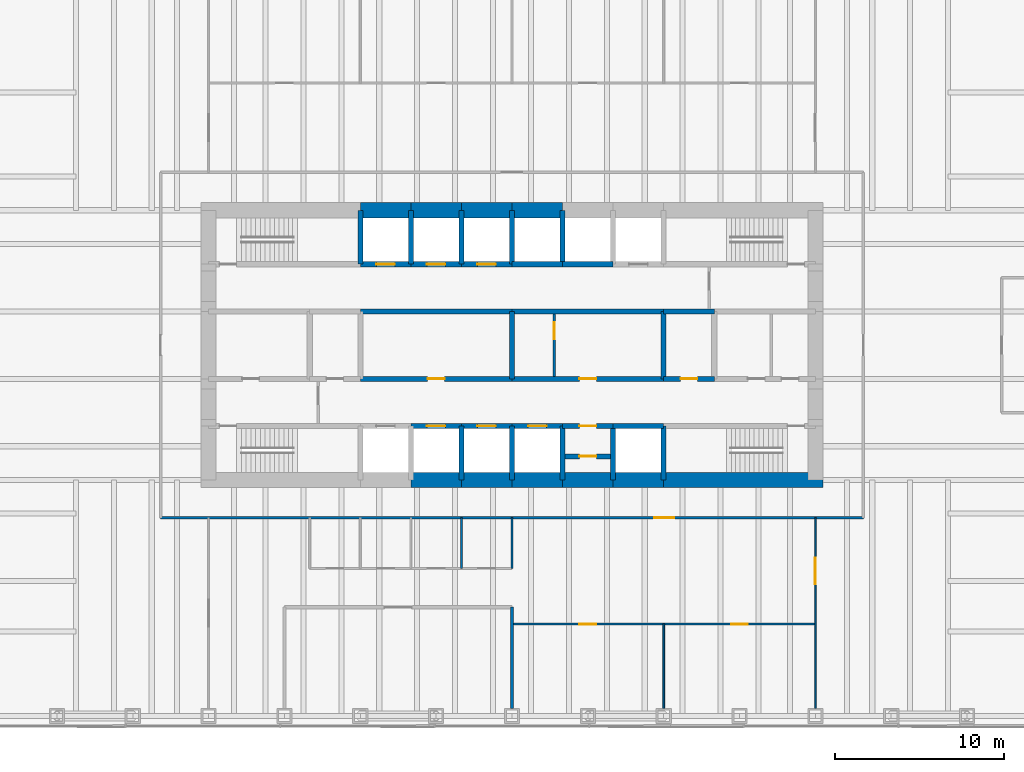
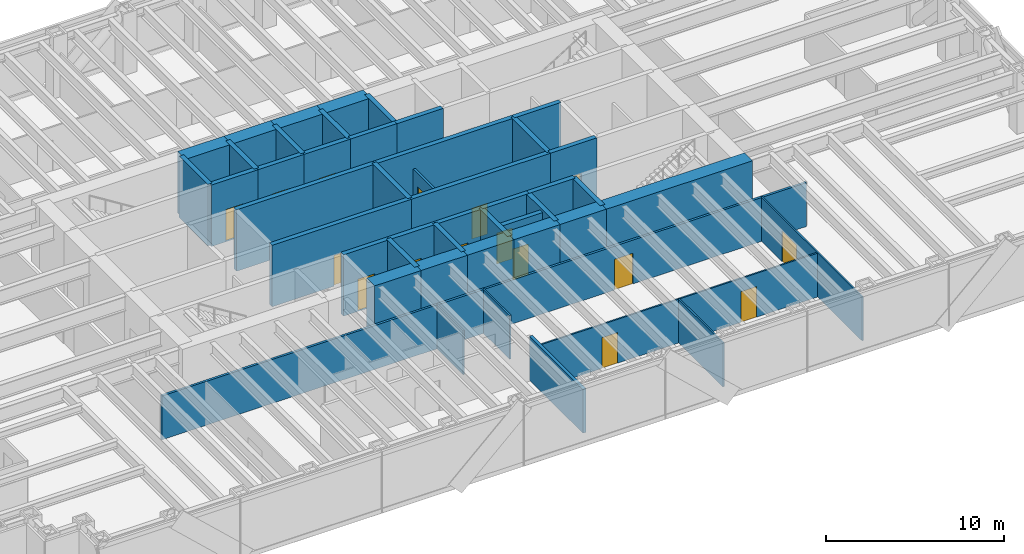
# One storey, part 12 of 15: 47 walls, 16 doors, 16 openings.
"""IFC4 building model written with IfcOpenShell, lengths in metres."""

from ifc_helpers import new_model, si_unit, direction, frame, frame_2d, origin, place, context, subcontext, project, spatial, rectangle, extrude, material, layer, layer_set, type_object, element, fill, save


model = new_model("IFC4")

# Units and contexts
model_context = context("Model", 3, precision=1e-05, world=origin(), true_north=direction((0.0, 1.0)))
body_context = subcontext(model_context, "Body", "Model", "MODEL_VIEW")
ifc_project = project(units=[si_unit("LENGTHUNIT", "METRE"), si_unit("AREAUNIT", "SQUARE_METRE"), si_unit("VOLUMEUNIT", "CUBIC_METRE"), si_unit("PLANEANGLEUNIT", "RADIAN"), si_unit("MASSUNIT", "GRAM", prefix="KILO")], contexts=[model_context])

# Site, building, storey
site_placement = place(None, origin())
site = spatial("IfcSite", under=ifc_project, at=site_placement, CompositionType="ELEMENT")
building_placement = place(site_placement, origin())
building = spatial("IfcBuilding", under=site, at=building_placement, Name="Rheinbord Bourse Tower", CompositionType="ELEMENT")
storey_placement = place(building_placement, frame((0.0, 0.0, 117.300048828125)))
storey = spatial("IfcBuildingStorey", under=building, at=storey_placement, Name="L25", CompositionType="ELEMENT", Elevation=117.300048828125)

# Wall
ifc_material_1 = material(Name="Acoustic gypsum board partition", Category="gypsum board")
ifc_layer_1 = layer(ifc_material_1, 0.199951171875)
ifc_layer_set_1 = layer_set([ifc_layer_1], Name="ACOUSTIC PARTITION 200")
wall_type_1 = type_object("IfcWallType", Name="ACOUSTIC PARTITION 200", PredefinedType="PARTITIONING", material=ifc_layer_set_1)
wall_1_placement = place(storey_placement, frame((36.0, 2.449951171875, 0.0), z_axis=(0.0, 0.0, 1.0), x_axis=(0.0, 1.0, 0.0)))
element("IfcWall", 1, at=wall_1_placement, inside=storey, type_object=wall_type_1, Name="Partition L25-23", PredefinedType="PARTITIONING", context=body_context, shape_type="SweptSolid", body=[
    extrude(rectangle(XDim=6.0, YDim=0.199951171875, at=frame_2d((3.0, 0.0))), origin(), (0.0, 0.0, 1.0), 3.0),
])

# Wall, opening, door
ifc_material_2 = material(Name="Concrete C50/60", Category="concrete")
ifc_layer_2 = layer(ifc_material_2, 0.300048828125)
ifc_layer_set_2 = layer_set([ifc_layer_2], Name="CORE INNER WALL 300")
wall_type_2 = type_object("IfcWallType", Name="CORE INNER WALL 300", PredefinedType="SOLIDWALL", material=ifc_layer_set_2)
wall_2_placement = place(storey_placement, frame((30.0, 19.199951171875, 0.0), z_axis=(0.0, 0.0, 1.0), x_axis=(1.0, 0.0, 0.0)))
wall_2 = element("IfcWall", 2, at=wall_2_placement, inside=storey, type_object=wall_type_2, Name="Core wall A3 L25", PredefinedType="SOLIDWALL", context=body_context, shape_type="SweptSolid", body=[
    extrude(rectangle(XDim=3.0, YDim=0.300048828125, at=frame_2d((1.5, 0.0))), origin(), (0.0, 0.0, 1.0), 4.199951171875),
])
opening_1_placement = place(wall_2_placement, frame((0.949951171875, 0.0, 0.0)))
opening_1 = element("IfcOpeningElement", 3, at=opening_1_placement, cuts=wall_2, Name="Opening PB1", PredefinedType="OPENING", context=body_context, shape_type="SweptSolid", body=[
    extrude(rectangle(XDim=1.10009765625, YDim=2.199951171875, at=frame_2d((0.550048828125, 1.10009765625))), frame((0.0, 0.159912109375, 0.0), z_axis=(0.0, -1.0, 0.0), x_axis=(1.0, 0.0, 0.0)), (0.0, 0.0, 1.0), 0.320068359375),
])
ifc_material_3 = material(Name="Steel landing door", Category="steel")
door_type_1 = type_object("IfcDoorType", Name="LIFT LANDING DOOR 1100", OperationType="DOUBLE_DOOR_SLIDING", PredefinedType="USERDEFINED", material=ifc_material_3)
door_1_placement = place(opening_1_placement, origin())
door_1 = element("IfcDoor", 4, at=door_1_placement, inside=storey, type_object=door_type_1, Name="Lift landing door PB1 L25", ObjectType="LIFT LANDING DOOR", OperationType="DOUBLE_DOOR_SLIDING", OverallHeight=2.199951171875, OverallWidth=1.10009765625, PredefinedType="USERDEFINED", context=body_context, shape_type="SweptSolid", body=[
    extrude(rectangle(XDim=1.10009765625, YDim=2.199951171875, at=frame_2d((0.550048828125, 1.10009765625))), frame((0.0, 0.02490234375, 0.0), z_axis=(0.0, -1.0, 0.0), x_axis=(1.0, 0.0, 0.0)), (0.0, 0.0, 1.0), 0.050048828125),
])
fill(opening_1, door_1)

wall_3_placement = place(storey_placement, frame((33.0, 19.199951171875, 0.0), z_axis=(0.0, 0.0, 1.0), x_axis=(1.0, 0.0, 0.0)))
wall_3 = element("IfcWall", 5, at=wall_3_placement, inside=storey, type_object=wall_type_2, Name="Core wall A4 L25", PredefinedType="SOLIDWALL", context=body_context, shape_type="SweptSolid", body=[
    extrude(rectangle(XDim=3.0, YDim=0.300048828125, at=frame_2d((1.5, 0.0))), origin(), (0.0, 0.0, 1.0), 4.199951171875),
])
opening_2_placement = place(wall_3_placement, frame((0.949951171875, 0.0, 0.0)))
opening_2 = element("IfcOpeningElement", 6, at=opening_2_placement, cuts=wall_3, Name="Opening PB2", PredefinedType="OPENING", context=body_context, shape_type="SweptSolid", body=[
    extrude(rectangle(XDim=1.10009765625, YDim=2.199951171875, at=frame_2d((0.550048828125, 1.10009765625))), frame((0.0, 0.159912109375, 0.0), z_axis=(0.0, -1.0, 0.0), x_axis=(1.0, 0.0, 0.0)), (0.0, 0.0, 1.0), 0.320068359375),
])
door_2_placement = place(opening_2_placement, origin())
door_2 = element("IfcDoor", 7, at=door_2_placement, inside=storey, type_object=door_type_1, Name="Lift landing door PB2 L25", ObjectType="LIFT LANDING DOOR", OperationType="DOUBLE_DOOR_SLIDING", OverallHeight=2.199951171875, OverallWidth=1.10009765625, PredefinedType="USERDEFINED", context=body_context, shape_type="SweptSolid", body=[
    extrude(rectangle(XDim=1.10009765625, YDim=2.199951171875, at=frame_2d((0.550048828125, 1.10009765625))), frame((0.0, 0.02490234375, 0.0), z_axis=(0.0, -1.0, 0.0), x_axis=(1.0, 0.0, 0.0)), (0.0, 0.0, 1.0), 0.050048828125),
])
fill(opening_2, door_2)

wall_4_placement = place(storey_placement, frame((36.0, 19.199951171875, 0.0), z_axis=(0.0, 0.0, 1.0), x_axis=(1.0, 0.0, 0.0)))
wall_4 = element("IfcWall", 8, at=wall_4_placement, inside=storey, type_object=wall_type_2, Name="Core wall A5 L25", PredefinedType="SOLIDWALL", context=body_context, shape_type="SweptSolid", body=[
    extrude(rectangle(XDim=3.0, YDim=0.300048828125, at=frame_2d((1.5, 0.0))), origin(), (0.0, 0.0, 1.0), 4.199951171875),
])
opening_3_placement = place(wall_4_placement, frame((0.949951171875, 0.0, 0.0)))
opening_3 = element("IfcOpeningElement", 9, at=opening_3_placement, cuts=wall_4, Name="Opening PB3", PredefinedType="OPENING", context=body_context, shape_type="SweptSolid", body=[
    extrude(rectangle(XDim=1.10009765625, YDim=2.199951171875, at=frame_2d((0.550048828125, 1.10009765625))), frame((0.0, 0.159912109375, 0.0), z_axis=(0.0, -1.0, 0.0), x_axis=(1.0, 0.0, 0.0)), (0.0, 0.0, 1.0), 0.320068359375),
])
door_3_placement = place(opening_3_placement, origin())
door_3 = element("IfcDoor", 10, at=door_3_placement, inside=storey, type_object=door_type_1, Name="Lift landing door PB3 L25", ObjectType="LIFT LANDING DOOR", OperationType="DOUBLE_DOOR_SLIDING", OverallHeight=2.199951171875, OverallWidth=1.10009765625, PredefinedType="USERDEFINED", context=body_context, shape_type="SweptSolid", body=[
    extrude(rectangle(XDim=1.10009765625, YDim=2.199951171875, at=frame_2d((0.550048828125, 1.10009765625))), frame((0.0, 0.02490234375, 0.0), z_axis=(0.0, -1.0, 0.0), x_axis=(1.0, 0.0, 0.0)), (0.0, 0.0, 1.0), 0.050048828125),
])
fill(opening_3, door_3)

wall_5_placement = place(storey_placement, frame((39.0, 19.199951171875, 0.0), z_axis=(0.0, 0.0, 1.0), x_axis=(1.0, 0.0, 0.0)))
wall_5 = element("IfcWall", 11, at=wall_5_placement, inside=storey, type_object=wall_type_2, Name="Core wall A6 L25", PredefinedType="SOLIDWALL", context=body_context, shape_type="SweptSolid", body=[
    extrude(rectangle(XDim=3.0, YDim=0.300048828125, at=frame_2d((1.5, 0.0))), origin(), (0.0, 0.0, 1.0), 4.199951171875),
])
opening_4_placement = place(wall_5_placement, frame((1.0, 0.0, 0.0)))
opening_4 = element("IfcOpeningElement", 12, at=opening_4_placement, cuts=wall_5, Name="Opening 25R8", PredefinedType="OPENING", context=body_context, shape_type="SweptSolid", body=[
    extrude(rectangle(XDim=1.0, YDim=2.10009765625, at=frame_2d((0.5, 1.050048828125))), frame((0.0, 0.159912109375, 0.0), z_axis=(0.0, -1.0, 0.0), x_axis=(1.0, 0.0, 0.0)), (0.0, 0.0, 1.0), 0.320068359375),
])
ifc_material_4 = material(Name="Steel door", Category="steel")
door_type_2 = type_object("IfcDoorType", Name="DOOR 1000 EI30", OperationType="SINGLE_SWING_LEFT", PredefinedType="DOOR", material=ifc_material_4)
door_4_placement = place(opening_4_placement, origin())
door_4 = element("IfcDoor", 13, at=door_4_placement, inside=storey, type_object=door_type_2, Name="Cleaner's store door L25", OperationType="SINGLE_SWING_LEFT", OverallHeight=2.10009765625, OverallWidth=1.0, PredefinedType="DOOR", context=body_context, shape_type="SweptSolid", body=[
    extrude(rectangle(XDim=1.0, YDim=2.10009765625, at=frame_2d((0.5, 1.050048828125))), frame((0.0, 0.02490234375, 0.0), z_axis=(0.0, -1.0, 0.0), x_axis=(1.0, 0.0, 0.0)), (0.0, 0.0, 1.0), 0.050048828125),
])
fill(opening_4, door_4)

# Wall
wall_6_placement = place(storey_placement, frame((42.0, 19.199951171875, 0.0), z_axis=(0.0, 0.0, 1.0), x_axis=(1.0, 0.0, 0.0)))
element("IfcWall", 14, at=wall_6_placement, inside=storey, type_object=wall_type_2, Name="Core wall A7 L25", PredefinedType="SOLIDWALL", context=body_context, shape_type="SweptSolid", body=[
    extrude(rectangle(XDim=3.0, YDim=0.300048828125, at=frame_2d((1.5, 0.0))), origin(), (0.0, 0.0, 1.0), 4.199951171875),
])

# Wall, opening, door
wall_7_placement = place(storey_placement, frame((27.0, 28.800048828125, 0.0), z_axis=(0.0, 0.0, 1.0), x_axis=(1.0, 0.0, 0.0)))
wall_7 = element("IfcWall", 15, at=wall_7_placement, inside=storey, type_object=wall_type_2, Name="Core wall B2 L25", PredefinedType="SOLIDWALL", context=body_context, shape_type="SweptSolid", body=[
    extrude(rectangle(XDim=3.0, YDim=0.300048828125, at=frame_2d((1.5, 0.0))), origin(), (0.0, 0.0, 1.0), 4.199951171875),
])
opening_5_placement = place(wall_7_placement, frame((0.949951171875, 0.0, 0.0)))
opening_5 = element("IfcOpeningElement", 16, at=opening_5_placement, cuts=wall_7, Name="Opening GL1", PredefinedType="OPENING", context=body_context, shape_type="SweptSolid", body=[
    extrude(rectangle(XDim=1.10009765625, YDim=2.199951171875, at=frame_2d((0.550048828125, 1.10009765625))), frame((0.0, 0.159912109375, 0.0), z_axis=(0.0, -1.0, 0.0), x_axis=(1.0, 0.0, 0.0)), (0.0, 0.0, 1.0), 0.320068359375),
])
door_5_placement = place(opening_5_placement, origin())
door_5 = element("IfcDoor", 17, at=door_5_placement, inside=storey, type_object=door_type_1, Name="Lift landing door GL1 L25", ObjectType="LIFT LANDING DOOR", OperationType="DOUBLE_DOOR_SLIDING", OverallHeight=2.199951171875, OverallWidth=1.10009765625, PredefinedType="USERDEFINED", context=body_context, shape_type="SweptSolid", body=[
    extrude(rectangle(XDim=1.10009765625, YDim=2.199951171875, at=frame_2d((0.550048828125, 1.10009765625))), frame((0.0, 0.02490234375, 0.0), z_axis=(0.0, -1.0, 0.0), x_axis=(1.0, 0.0, 0.0)), (0.0, 0.0, 1.0), 0.050048828125),
])
fill(opening_5, door_5)

wall_8_placement = place(storey_placement, frame((30.0, 28.800048828125, 0.0), z_axis=(0.0, 0.0, 1.0), x_axis=(1.0, 0.0, 0.0)))
wall_8 = element("IfcWall", 18, at=wall_8_placement, inside=storey, type_object=wall_type_2, Name="Core wall B3 L25", PredefinedType="SOLIDWALL", context=body_context, shape_type="SweptSolid", body=[
    extrude(rectangle(XDim=3.0, YDim=0.300048828125, at=frame_2d((1.5, 0.0))), origin(), (0.0, 0.0, 1.0), 4.199951171875),
])
opening_6_placement = place(wall_8_placement, frame((0.949951171875, 0.0, 0.0)))
opening_6 = element("IfcOpeningElement", 19, at=opening_6_placement, cuts=wall_8, Name="Opening PB4", PredefinedType="OPENING", context=body_context, shape_type="SweptSolid", body=[
    extrude(rectangle(XDim=1.10009765625, YDim=2.199951171875, at=frame_2d((0.550048828125, 1.10009765625))), frame((0.0, 0.159912109375, 0.0), z_axis=(0.0, -1.0, 0.0), x_axis=(1.0, 0.0, 0.0)), (0.0, 0.0, 1.0), 0.320068359375),
])
door_6_placement = place(opening_6_placement, origin())
door_6 = element("IfcDoor", 20, at=door_6_placement, inside=storey, type_object=door_type_1, Name="Lift landing door PB4 L25", ObjectType="LIFT LANDING DOOR", OperationType="DOUBLE_DOOR_SLIDING", OverallHeight=2.199951171875, OverallWidth=1.10009765625, PredefinedType="USERDEFINED", context=body_context, shape_type="SweptSolid", body=[
    extrude(rectangle(XDim=1.10009765625, YDim=2.199951171875, at=frame_2d((0.550048828125, 1.10009765625))), frame((0.0, 0.02490234375, 0.0), z_axis=(0.0, -1.0, 0.0), x_axis=(1.0, 0.0, 0.0)), (0.0, 0.0, 1.0), 0.050048828125),
])
fill(opening_6, door_6)

wall_9_placement = place(storey_placement, frame((33.0, 28.800048828125, 0.0), z_axis=(0.0, 0.0, 1.0), x_axis=(1.0, 0.0, 0.0)))
wall_9 = element("IfcWall", 21, at=wall_9_placement, inside=storey, type_object=wall_type_2, Name="Core wall B4 L25", PredefinedType="SOLIDWALL", context=body_context, shape_type="SweptSolid", body=[
    extrude(rectangle(XDim=3.0, YDim=0.300048828125, at=frame_2d((1.5, 0.0))), origin(), (0.0, 0.0, 1.0), 4.199951171875),
])
opening_7_placement = place(wall_9_placement, frame((0.949951171875, 0.0, 0.0)))
opening_7 = element("IfcOpeningElement", 22, at=opening_7_placement, cuts=wall_9, Name="Opening PB5", PredefinedType="OPENING", context=body_context, shape_type="SweptSolid", body=[
    extrude(rectangle(XDim=1.10009765625, YDim=2.199951171875, at=frame_2d((0.550048828125, 1.10009765625))), frame((0.0, 0.159912109375, 0.0), z_axis=(0.0, -1.0, 0.0), x_axis=(1.0, 0.0, 0.0)), (0.0, 0.0, 1.0), 0.320068359375),
])
door_7_placement = place(opening_7_placement, origin())
door_7 = element("IfcDoor", 23, at=door_7_placement, inside=storey, type_object=door_type_1, Name="Lift landing door PB5 L25", ObjectType="LIFT LANDING DOOR", OperationType="DOUBLE_DOOR_SLIDING", OverallHeight=2.199951171875, OverallWidth=1.10009765625, PredefinedType="USERDEFINED", context=body_context, shape_type="SweptSolid", body=[
    extrude(rectangle(XDim=1.10009765625, YDim=2.199951171875, at=frame_2d((0.550048828125, 1.10009765625))), frame((0.0, 0.02490234375, 0.0), z_axis=(0.0, -1.0, 0.0), x_axis=(1.0, 0.0, 0.0)), (0.0, 0.0, 1.0), 0.050048828125),
])
fill(opening_7, door_7)

# Walls
for number, where, z_axis, x_axis, name in (
    (24, (36.0, 28.800048828125, 0.0), (0.0, 0.0, 1.0), (1.0, 0.0, 0.0), "Core wall B5 L25"),
    (25, (39.0, 28.800048828125, 0.0), (0.0, 0.0, 1.0), (1.0, 0.0, 0.0), "Core wall B6 L25"),
):
    element("IfcWall", number, at=place(storey_placement, frame(where, z_axis=z_axis, x_axis=x_axis)), inside=storey, type_object=wall_type_2, Name=name, PredefinedType="SOLIDWALL", context=body_context, shape_type="SweptSolid", body=[
        extrude(rectangle(XDim=3.0, YDim=0.300048828125, at=frame_2d((1.5, 0.0))), origin(), (0.0, 0.0, 1.0), 4.199951171875),
    ])

# Wall, opening, door
wall_10_placement = place(storey_placement, frame((27.0, 22.0, 0.0), z_axis=(0.0, 0.0, 1.0), x_axis=(1.0, 0.0, 0.0)))
wall_10 = element("IfcWall", 26, at=wall_10_placement, inside=storey, type_object=wall_type_2, Name="Core wall C3 L25", PredefinedType="SOLIDWALL", context=body_context, shape_type="SweptSolid", body=[
    extrude(rectangle(XDim=9.0, YDim=0.300048828125, at=frame_2d((4.5, 0.0))), origin(), (0.0, 0.0, 1.0), 4.199951171875),
])
opening_8_placement = place(wall_10_placement, frame((4.0, 0.0, 0.0)))
opening_8 = element("IfcOpeningElement", 27, at=opening_8_placement, cuts=wall_10, Name="Opening 25R3", PredefinedType="OPENING", context=body_context, shape_type="SweptSolid", body=[
    extrude(rectangle(XDim=1.0, YDim=2.10009765625, at=frame_2d((0.5, 1.050048828125))), frame((0.0, 0.159912109375, 0.0), z_axis=(0.0, -1.0, 0.0), x_axis=(1.0, 0.0, 0.0)), (0.0, 0.0, 1.0), 0.320068359375),
])
door_8_placement = place(opening_8_placement, origin())
door_8 = element("IfcDoor", 28, at=door_8_placement, inside=storey, type_object=door_type_2, Name="Riser door L25", OperationType="SINGLE_SWING_LEFT", OverallHeight=2.10009765625, OverallWidth=1.0, PredefinedType="DOOR", context=body_context, shape_type="SweptSolid", body=[
    extrude(rectangle(XDim=1.0, YDim=2.10009765625, at=frame_2d((0.5, 1.050048828125))), frame((0.0, 0.02490234375, 0.0), z_axis=(0.0, -1.0, 0.0), x_axis=(1.0, 0.0, 0.0)), (0.0, 0.0, 1.0), 0.050048828125),
])
fill(opening_8, door_8)

wall_11_placement = place(storey_placement, frame((36.0, 22.0, 0.0), z_axis=(0.0, 0.0, 1.0), x_axis=(1.0, 0.0, 0.0)))
wall_11 = element("IfcWall", 29, at=wall_11_placement, inside=storey, type_object=wall_type_2, Name="Core wall C4 L25", PredefinedType="SOLIDWALL", context=body_context, shape_type="SweptSolid", body=[
    extrude(rectangle(XDim=9.0, YDim=0.300048828125, at=frame_2d((4.5, 0.0))), origin(), (0.0, 0.0, 1.0), 4.199951171875),
])
opening_9_placement = place(wall_11_placement, frame((4.0, 0.0, 0.0)))
opening_9 = element("IfcOpeningElement", 30, at=opening_9_placement, cuts=wall_11, Name="Opening 25R4", PredefinedType="OPENING", context=body_context, shape_type="SweptSolid", body=[
    extrude(rectangle(XDim=1.0, YDim=2.10009765625, at=frame_2d((0.5, 1.050048828125))), frame((0.0, 0.159912109375, 0.0), z_axis=(0.0, -1.0, 0.0), x_axis=(1.0, 0.0, 0.0)), (0.0, 0.0, 1.0), 0.320068359375),
])
door_9_placement = place(opening_9_placement, origin())
door_9 = element("IfcDoor", 31, at=door_9_placement, inside=storey, type_object=door_type_2, Name="Store door L25", OperationType="SINGLE_SWING_LEFT", OverallHeight=2.10009765625, OverallWidth=1.0, PredefinedType="DOOR", context=body_context, shape_type="SweptSolid", body=[
    extrude(rectangle(XDim=1.0, YDim=2.10009765625, at=frame_2d((0.5, 1.050048828125))), frame((0.0, 0.02490234375, 0.0), z_axis=(0.0, -1.0, 0.0), x_axis=(1.0, 0.0, 0.0)), (0.0, 0.0, 1.0), 0.050048828125),
])
fill(opening_9, door_9)

wall_12_placement = place(storey_placement, frame((45.0, 22.0, 0.0), z_axis=(0.0, 0.0, 1.0), x_axis=(1.0, 0.0, 0.0)))
wall_12 = element("IfcWall", 32, at=wall_12_placement, inside=storey, type_object=wall_type_2, Name="Core wall C5 L25", PredefinedType="SOLIDWALL", context=body_context, shape_type="SweptSolid", body=[
    extrude(rectangle(XDim=3.0, YDim=0.300048828125, at=frame_2d((1.5, 0.0))), origin(), (0.0, 0.0, 1.0), 4.199951171875),
])
opening_10_placement = place(wall_12_placement, frame((1.0, 0.0, 0.0)))
opening_10 = element("IfcOpeningElement", 33, at=opening_10_placement, cuts=wall_12, Name="Opening 25R5", PredefinedType="OPENING", context=body_context, shape_type="SweptSolid", body=[
    extrude(rectangle(XDim=1.0, YDim=2.10009765625, at=frame_2d((0.5, 1.050048828125))), frame((0.0, 0.159912109375, 0.0), z_axis=(0.0, -1.0, 0.0), x_axis=(1.0, 0.0, 0.0)), (0.0, 0.0, 1.0), 0.320068359375),
])
ifc_material_5 = material(Name="Timber door", Category="wood")
door_type_3 = type_object("IfcDoorType", Name="DOOR 1000 WC", OperationType="SINGLE_SWING_LEFT", PredefinedType="DOOR", material=ifc_material_5)
door_10_placement = place(opening_10_placement, origin())
door_10 = element("IfcDoor", 34, at=door_10_placement, inside=storey, type_object=door_type_3, Name="Accessible WC door L25", OperationType="SINGLE_SWING_LEFT", OverallHeight=2.10009765625, OverallWidth=1.0, PredefinedType="DOOR", context=body_context, shape_type="SweptSolid", body=[
    extrude(rectangle(XDim=1.0, YDim=2.10009765625, at=frame_2d((0.5, 1.050048828125))), frame((0.0, 0.02490234375, 0.0), z_axis=(0.0, -1.0, 0.0), x_axis=(1.0, 0.0, 0.0)), (0.0, 0.0, 1.0), 0.050048828125),
])
fill(opening_10, door_10)

# Walls
for number, where, z_axis, x_axis, name in (
    (35, (27.0, 26.0, 0.0), (0.0, 0.0, 1.0), (1.0, 0.0, 0.0), "Core wall D3 L25"),
    (36, (36.0, 26.0, 0.0), (0.0, 0.0, 1.0), (1.0, 0.0, 0.0), "Core wall D4 L25"),
):
    element("IfcWall", number, at=place(storey_placement, frame(where, z_axis=z_axis, x_axis=x_axis)), inside=storey, type_object=wall_type_2, Name=name, PredefinedType="SOLIDWALL", context=body_context, shape_type="SweptSolid", body=[
        extrude(rectangle(XDim=9.0, YDim=0.300048828125, at=frame_2d((4.5, 0.0))), origin(), (0.0, 0.0, 1.0), 4.199951171875),
    ])
wall_13_placement = place(storey_placement, frame((45.0, 26.0, 0.0), z_axis=(0.0, 0.0, 1.0), x_axis=(1.0, 0.0, 0.0)))
element("IfcWall", 37, at=wall_13_placement, inside=storey, type_object=wall_type_2, Name="Core wall D5 L25", PredefinedType="SOLIDWALL", context=body_context, shape_type="SweptSolid", body=[
    extrude(rectangle(XDim=3.0, YDim=0.300048828125, at=frame_2d((1.5, 0.0))), origin(), (0.0, 0.0, 1.0), 4.199951171875),
])
for number, where, z_axis, x_axis, name in (
    (38, (27.0, 28.800048828125, 0.0), (0.0, 0.0, 1.0), (0.0, 1.0, 0.0), "Core wall NX27 L25"),
    (39, (30.0, 28.800048828125, 0.0), (0.0, 0.0, 1.0), (0.0, 1.0, 0.0), "Core wall NX30 L25"),
    (40, (33.0, 16.0, 0.0), (0.0, 0.0, 1.0), (0.0, 1.0, 0.0), "Core wall SX33 L25"),
    (41, (33.0, 28.800048828125, 0.0), (0.0, 0.0, 1.0), (0.0, 1.0, 0.0), "Core wall NX33 L25"),
    (42, (36.0, 16.0, 0.0), (0.0, 0.0, 1.0), (0.0, 1.0, 0.0), "Core wall SX36 L25"),
    (43, (36.0, 28.800048828125, 0.0), (0.0, 0.0, 1.0), (0.0, 1.0, 0.0), "Core wall NX36 L25"),
    (44, (39.0, 16.0, 0.0), (0.0, 0.0, 1.0), (0.0, 1.0, 0.0), "Core wall SX39 L25"),
    (45, (39.0, 28.800048828125, 0.0), (0.0, 0.0, 1.0), (0.0, 1.0, 0.0), "Core wall NX39 L25"),
    (46, (42.0, 16.0, 0.0), (0.0, 0.0, 1.0), (0.0, 1.0, 0.0), "Core wall SX42 L25"),
    (47, (45.0, 16.0, 0.0), (0.0, 0.0, 1.0), (0.0, 1.0, 0.0), "Core wall SX45 L25"),
):
    element("IfcWall", number, at=place(storey_placement, frame(where, z_axis=z_axis, x_axis=x_axis)), inside=storey, type_object=wall_type_2, Name=name, PredefinedType="SOLIDWALL", context=body_context, shape_type="SweptSolid", body=[
        extrude(rectangle(XDim=3.199951171875, YDim=0.300048828125, at=frame_2d((1.60009765625, 0.0))), origin(), (0.0, 0.0, 1.0), 4.199951171875),
    ])
for number, where, z_axis, x_axis, name in (
    (48, (36.0, 22.0, 0.0), (0.0, 0.0, 1.0), (0.0, 1.0, 0.0), "Core wall MX36 L25"),
    (49, (45.0, 22.0, 0.0), (0.0, 0.0, 1.0), (0.0, 1.0, 0.0), "Core wall MX45 L25"),
):
    element("IfcWall", number, at=place(storey_placement, frame(where, z_axis=z_axis, x_axis=x_axis)), inside=storey, type_object=wall_type_2, Name=name, PredefinedType="SOLIDWALL", context=body_context, shape_type="SweptSolid", body=[
        extrude(rectangle(XDim=4.0, YDim=0.300048828125, at=frame_2d((2.0, 0.0))), origin(), (0.0, 0.0, 1.0), 4.199951171875),
    ])

# Wall, opening, door
wall_14_placement = place(storey_placement, frame((39.14990234375, 17.39990234375, 0.0), z_axis=(0.0, 0.0, 1.0), x_axis=(1.0, 0.0, 0.0)))
wall_14 = element("IfcWall", 50, at=wall_14_placement, inside=storey, type_object=wall_type_2, Name="Core riser wall L25-6", PredefinedType="SOLIDWALL", context=body_context, shape_type="SweptSolid", body=[
    extrude(rectangle(XDim=2.7001953125, YDim=0.300048828125, at=frame_2d((1.35009765625, 0.0))), origin(), (0.0, 0.0, 1.0), 4.0400390625),
])
opening_11_placement = place(wall_14_placement, frame((0.85009765625, 0.0, 0.0)))
opening_11 = element("IfcOpeningElement", 51, at=opening_11_placement, cuts=wall_14, Name="Opening 25R12", PredefinedType="OPENING", context=body_context, shape_type="SweptSolid", body=[
    extrude(rectangle(XDim=1.0, YDim=2.10009765625, at=frame_2d((0.5, 1.050048828125))), frame((0.0, 0.159912109375, 0.0), z_axis=(0.0, -1.0, 0.0), x_axis=(1.0, 0.0, 0.0)), (0.0, 0.0, 1.0), 0.320068359375),
])
door_11_placement = place(opening_11_placement, origin())
door_11 = element("IfcDoor", 52, at=door_11_placement, inside=storey, type_object=door_type_2, Name="Comms riser door L25", OperationType="SINGLE_SWING_LEFT", OverallHeight=2.10009765625, OverallWidth=1.0, PredefinedType="DOOR", context=body_context, shape_type="SweptSolid", body=[
    extrude(rectangle(XDim=1.0, YDim=2.10009765625, at=frame_2d((0.5, 1.050048828125))), frame((0.0, 0.02490234375, 0.0), z_axis=(0.0, -1.0, 0.0), x_axis=(1.0, 0.0, 0.0)), (0.0, 0.0, 1.0), 0.050048828125),
])
fill(opening_11, door_11)

ifc_material_6 = material(Name="Gypsum board fire partition", Category="gypsum board")
ifc_layer_3 = layer(ifc_material_6, 0.14990234375)
ifc_layer_set_3 = layer_set([ifc_layer_3], Name="CORE PARTITION 150 EI30")
wall_type_3 = type_object("IfcWallType", Name="CORE PARTITION 150 EI30", PredefinedType="PARTITIONING", material=ifc_layer_set_3)
wall_15_placement = place(storey_placement, frame((38.5, 22.14990234375, 0.0), z_axis=(0.0, 0.0, 1.0), x_axis=(0.0, 1.0, 0.0)))
wall_15 = element("IfcWall", 53, at=wall_15_placement, inside=storey, type_object=wall_type_3, Name="Core partition L25-1", PredefinedType="PARTITIONING", context=body_context, shape_type="SweptSolid", body=[
    extrude(rectangle(XDim=3.7001953125, YDim=0.14990234375, at=frame_2d((1.85009765625, 0.0))), origin(), (0.0, 0.0, 1.0), 3.0),
])
opening_12_placement = place(wall_15_placement, frame((2.199951171875, 0.0, 0.0)))
opening_12 = element("IfcOpeningElement", 54, at=opening_12_placement, cuts=wall_15, Name="Opening 25R7", PredefinedType="OPENING", context=body_context, shape_type="SweptSolid", body=[
    extrude(rectangle(XDim=1.0, YDim=2.10009765625, at=frame_2d((0.5, 1.050048828125))), frame((0.0, 0.0849609375, 0.0), z_axis=(0.0, -1.0, 0.0), x_axis=(1.0, 0.0, 0.0)), (0.0, 0.0, 1.0), 0.169921875),
])
door_12_placement = place(opening_12_placement, origin())
door_12 = element("IfcDoor", 55, at=door_12_placement, inside=storey, type_object=door_type_2, Name="Furniture store door L25", OperationType="SINGLE_SWING_RIGHT", OverallHeight=2.10009765625, OverallWidth=1.0, PredefinedType="DOOR", context=body_context, shape_type="SweptSolid", body=[
    extrude(rectangle(XDim=1.0, YDim=2.10009765625, at=frame_2d((0.5, 1.050048828125))), frame((0.0, 0.02490234375, 0.0), z_axis=(0.0, -1.0, 0.0), x_axis=(1.0, 0.0, 0.0)), (0.0, 0.0, 1.0), 0.050048828125),
])
fill(opening_12, door_12)

# Walls
ifc_material_7 = material(Name="Concrete C50/60", Category="concrete")
ifc_layer_4 = layer(ifc_material_7, 0.89990234375)
ifc_layer_set_4 = layer_set([ifc_layer_4], Name="CORE WALL 900")
wall_type_4 = type_object("IfcWallType", Name="CORE WALL 900", PredefinedType="SHEAR", material=ifc_layer_set_4)
for number, where, z_axis, x_axis, name in (
    (56, (30.0, 16.0, 0.0), (0.0, 0.0, 1.0), (1.0, 0.0, 0.0), "Core wall S3 L25"),
    (57, (33.0, 16.0, 0.0), (0.0, 0.0, 1.0), (1.0, 0.0, 0.0), "Core wall S4 L25"),
    (58, (36.0, 16.0, 0.0), (0.0, 0.0, 1.0), (1.0, 0.0, 0.0), "Core wall S5 L25"),
    (59, (39.0, 16.0, 0.0), (0.0, 0.0, 1.0), (1.0, 0.0, 0.0), "Core wall S6 L25"),
    (60, (42.0, 16.0, 0.0), (0.0, 0.0, 1.0), (1.0, 0.0, 0.0), "Core wall S7 L25"),
):
    element("IfcWall", number, at=place(storey_placement, frame(where, z_axis=z_axis, x_axis=x_axis)), inside=storey, type_object=wall_type_4, Name=name, PredefinedType="SHEAR", context=body_context, shape_type="SweptSolid", body=[
        extrude(rectangle(XDim=3.0, YDim=0.89990234375, at=frame_2d((1.5, 0.0))), origin(), (0.0, 0.0, 1.0), 4.199951171875),
    ])
wall_16_placement = place(storey_placement, frame((45.0, 16.0, 0.0), z_axis=(0.0, 0.0, 1.0), x_axis=(1.0, 0.0, 0.0)))
element("IfcWall", 61, at=wall_16_placement, inside=storey, type_object=wall_type_4, Name="Core wall S8 L25", PredefinedType="SHEAR", context=body_context, shape_type="SweptSolid", body=[
    extrude(rectangle(XDim=9.449951171875, YDim=0.89990234375, at=frame_2d((4.72509765625, 0.0))), origin(), (0.0, 0.0, 1.0), 4.199951171875),
])
for number, where, z_axis, x_axis, name in (
    (62, (39.0, 32.0, 0.0), (0.0, 0.0, 1.0), (-1.0, 0.0, 0.0), "Core wall N4 L25"),
    (63, (36.0, 32.0, 0.0), (0.0, 0.0, 1.0), (-1.0, 0.0, 0.0), "Core wall N5 L25"),
    (64, (33.0, 32.0, 0.0), (0.0, 0.0, 1.0), (-1.0, 0.0, 0.0), "Core wall N6 L25"),
    (65, (30.0, 32.0, 0.0), (0.0, 0.0, 1.0), (-1.0, 0.0, 0.0), "Core wall N7 L25"),
):
    element("IfcWall", number, at=place(storey_placement, frame(where, z_axis=z_axis, x_axis=x_axis)), inside=storey, type_object=wall_type_4, Name=name, PredefinedType="SHEAR", context=body_context, shape_type="SweptSolid", body=[
        extrude(rectangle(XDim=3.0, YDim=0.89990234375, at=frame_2d((1.5, 0.0))), origin(), (0.0, 0.0, 1.0), 4.199951171875),
    ])

# Wall, opening, door
ifc_material_8 = material(Name="Gypsum board corridor partition", Category="gypsum board")
ifc_layer_5 = layer(ifc_material_8, 0.14990234375)
ifc_layer_set_5 = layer_set([ifc_layer_5], Name="CORRIDOR PARTITION 150 EI30")
wall_type_5 = type_object("IfcWallType", Name="CORRIDOR PARTITION 150 EI30", PredefinedType="PARTITIONING", material=ifc_layer_set_5)
wall_17_placement = place(storey_placement, frame((15.14990234375, 13.75, 0.0), z_axis=(0.0, 0.0, 1.0), x_axis=(1.0, 0.0, 0.0)))
wall_17 = element("IfcWall", 66, at=wall_17_placement, inside=storey, type_object=wall_type_5, Name="Partition L25-05", PredefinedType="PARTITIONING", context=body_context, shape_type="SweptSolid", body=[
    extrude(rectangle(XDim=41.7001953125, YDim=0.14990234375, at=frame_2d((20.85009765625, 0.0))), origin(), (0.0, 0.0, 1.0), 3.0),
])
opening_13_placement = place(wall_17_placement, frame((29.27490234375, 0.0, 0.0)))
opening_13 = element("IfcOpeningElement", 67, at=opening_13_placement, cuts=wall_17, Name="Opening 25D21", PredefinedType="OPENING", context=body_context, shape_type="SweptSolid", body=[
    extrude(rectangle(XDim=1.199951171875, YDim=2.10009765625, at=frame_2d((0.60009765625, 1.050048828125))), frame((0.0, 0.0849609375, 0.0), z_axis=(0.0, -1.0, 0.0), x_axis=(1.0, 0.0, 0.0)), (0.0, 0.0, 1.0), 0.169921875),
])
ifc_material_9 = material(Name="Timber fire door", Category="wood")
door_type_4 = type_object("IfcDoorType", Name="SUITE ENTRANCE DOOR 1200 EI30", OperationType="SINGLE_SWING_LEFT", PredefinedType="DOOR", material=ifc_material_9)
door_13_placement = place(opening_13_placement, origin())
door_13 = element("IfcDoor", 68, at=door_13_placement, inside=storey, type_object=door_type_4, Name="Suite entrance 3 door L25", OperationType="SINGLE_SWING_RIGHT", OverallHeight=2.10009765625, OverallWidth=1.199951171875, PredefinedType="DOOR", context=body_context, shape_type="SweptSolid", body=[
    extrude(rectangle(XDim=1.199951171875, YDim=2.10009765625, at=frame_2d((0.60009765625, 1.050048828125))), frame((0.0, 0.02490234375, 0.0), z_axis=(0.0, -1.0, 0.0), x_axis=(1.0, 0.0, 0.0)), (0.0, 0.0, 1.0), 0.050048828125),
])
fill(opening_13, door_13)

# Wall, openings, doors
ifc_material_10 = material(Name="Toughened laminated glass partition", Category="glass")
ifc_layer_6 = layer(ifc_material_10, 0.10009765625)
ifc_layer_set_6 = layer_set([ifc_layer_6], Name="GLAZED PARTITION 100")
wall_type_6 = type_object("IfcWallType", Name="GLAZED PARTITION 100", PredefinedType="PARTITIONING", material=ifc_layer_set_6)
wall_18_placement = place(storey_placement, frame((36.0, 7.449951171875, 0.0), z_axis=(0.0, 0.0, 1.0), x_axis=(1.0, 0.0, 0.0)))
wall_18 = element("IfcWall", 69, at=wall_18_placement, inside=storey, type_object=wall_type_6, Name="Partition L25-01", PredefinedType="PARTITIONING", context=body_context, shape_type="SweptSolid", body=[
    extrude(rectangle(XDim=18.0, YDim=0.10009765625, at=frame_2d((9.0, 0.0))), origin(), (0.0, 0.0, 1.0), 3.0),
])
opening_14_placement = place(wall_18_placement, frame((4.0, 0.0, 0.0)))
opening_14 = element("IfcOpeningElement", 70, at=opening_14_placement, cuts=wall_18, Name="Opening 25D01", PredefinedType="OPENING", context=body_context, shape_type="SweptSolid", body=[
    extrude(rectangle(XDim=1.0, YDim=2.10009765625, at=frame_2d((0.5, 1.050048828125))), frame((0.0, 0.06005859375, 0.0), z_axis=(0.0, -1.0, 0.0), x_axis=(1.0, 0.0, 0.0)), (0.0, 0.0, 1.0), 0.1201171875),
])
opening_15_placement = place(wall_18_placement, frame((13.0, 0.0, 0.0)))
opening_15 = element("IfcOpeningElement", 71, at=opening_15_placement, cuts=wall_18, Name="Opening 25D02", PredefinedType="OPENING", context=body_context, shape_type="SweptSolid", body=[
    extrude(rectangle(XDim=1.0, YDim=2.10009765625, at=frame_2d((0.5, 1.050048828125))), frame((0.0, 0.06005859375, 0.0), z_axis=(0.0, -1.0, 0.0), x_axis=(1.0, 0.0, 0.0)), (0.0, 0.0, 1.0), 0.1201171875),
])
ifc_material_11 = material(Name="Timber door", Category="wood")
door_type_5 = type_object("IfcDoorType", Name="ROOM DOOR 1000", OperationType="SINGLE_SWING_LEFT", PredefinedType="DOOR", material=ifc_material_11)
door_14_placement = place(opening_14_placement, origin())
door_14 = element("IfcDoor", 72, at=door_14_placement, inside=storey, type_object=door_type_5, Name="Project room door L25", OperationType="SINGLE_SWING_LEFT", OverallHeight=2.10009765625, OverallWidth=1.0, PredefinedType="DOOR", context=body_context, shape_type="SweptSolid", body=[
    extrude(rectangle(XDim=1.0, YDim=2.10009765625, at=frame_2d((0.5, 1.050048828125))), frame((0.0, 0.02490234375, 0.0), z_axis=(0.0, -1.0, 0.0), x_axis=(1.0, 0.0, 0.0)), (0.0, 0.0, 1.0), 0.050048828125),
])
fill(opening_14, door_14)
door_15_placement = place(opening_15_placement, origin())
door_15 = element("IfcDoor", 73, at=door_15_placement, inside=storey, type_object=door_type_5, Name="Project room door L25", OperationType="SINGLE_SWING_RIGHT", OverallHeight=2.10009765625, OverallWidth=1.0, PredefinedType="DOOR", context=body_context, shape_type="SweptSolid", body=[
    extrude(rectangle(XDim=1.0, YDim=2.10009765625, at=frame_2d((0.5, 1.050048828125))), frame((0.0, 0.02490234375, 0.0), z_axis=(0.0, -1.0, 0.0), x_axis=(1.0, 0.0, 0.0)), (0.0, 0.0, 1.0), 0.050048828125),
])
fill(opening_15, door_15)

# Walls
for number, where, z_axis, x_axis, name in (
    (74, (33.0, 10.75, 0.0), (0.0, 0.0, 1.0), (0.0, 1.0, 0.0), "Partition L25-22"),
    (75, (36.0, 10.75, 0.0), (0.0, 0.0, 1.0), (0.0, 1.0, 0.0), "Partition L25-24"),
):
    element("IfcWall", number, at=place(storey_placement, frame(where, z_axis=z_axis, x_axis=x_axis)), inside=storey, type_object=wall_type_6, Name=name, PredefinedType="PARTITIONING", context=body_context, shape_type="SweptSolid", body=[
        extrude(rectangle(XDim=3.0, YDim=0.10009765625, at=frame_2d((1.5, 0.0))), origin(), (0.0, 0.0, 1.0), 3.0),
    ])
wall_19_placement = place(storey_placement, frame((45.0, 2.449951171875, 0.0), z_axis=(0.0, 0.0, 1.0), x_axis=(0.0, 1.0, 0.0)))
element("IfcWall", 76, at=wall_19_placement, inside=storey, type_object=wall_type_6, Name="Partition L25-26", PredefinedType="PARTITIONING", context=body_context, shape_type="SweptSolid", body=[
    extrude(rectangle(XDim=5.0, YDim=0.10009765625, at=frame_2d((2.5, 0.0))), origin(), (0.0, 0.0, 1.0), 3.0),
])

# Wall, opening, door
wall_20_placement = place(storey_placement, frame((54.0, 2.449951171875, 0.0), z_axis=(0.0, 0.0, 1.0), x_axis=(0.0, 1.0, 0.0)))
wall_20 = element("IfcWall", 77, at=wall_20_placement, inside=storey, type_object=wall_type_6, Name="Partition L25-28", PredefinedType="PARTITIONING", context=body_context, shape_type="SweptSolid", body=[
    extrude(rectangle(XDim=11.300048828125, YDim=0.10009765625, at=frame_2d((5.64990234375, 0.0))), origin(), (0.0, 0.0, 1.0), 3.0),
])
opening_16_placement = place(wall_20_placement, frame((7.35009765625, 0.0, 0.0)))
opening_16 = element("IfcOpeningElement", 78, at=opening_16_placement, cuts=wall_20, Name="Opening 25D17", PredefinedType="OPENING", context=body_context, shape_type="SweptSolid", body=[
    extrude(rectangle(XDim=1.60009765625, YDim=2.10009765625, at=frame_2d((0.800048828125, 1.050048828125))), frame((0.0, 0.06005859375, 0.0), z_axis=(0.0, -1.0, 0.0), x_axis=(1.0, 0.0, 0.0)), (0.0, 0.0, 1.0), 0.1201171875),
])
ifc_material_12 = material(Name="Timber door", Category="wood")
door_type_6 = type_object("IfcDoorType", Name="DOUBLE ROOM DOOR 1600", OperationType="DOUBLE_DOOR_DOUBLE_SWING", PredefinedType="DOOR", material=ifc_material_12)
door_16_placement = place(opening_16_placement, origin())
door_16 = element("IfcDoor", 79, at=door_16_placement, inside=storey, type_object=door_type_6, Name="Open area door L25", OperationType="SINGLE_SWING_LEFT", OverallHeight=2.10009765625, OverallWidth=1.60009765625, PredefinedType="DOOR", context=body_context, shape_type="SweptSolid", body=[
    extrude(rectangle(XDim=1.60009765625, YDim=2.10009765625, at=frame_2d((0.800048828125, 1.050048828125))), frame((0.0, 0.02490234375, 0.0), z_axis=(0.0, -1.0, 0.0), x_axis=(1.0, 0.0, 0.0)), (0.0, 0.0, 1.0), 0.050048828125),
])
fill(opening_16, door_16)

save(model, "model.ifc")
